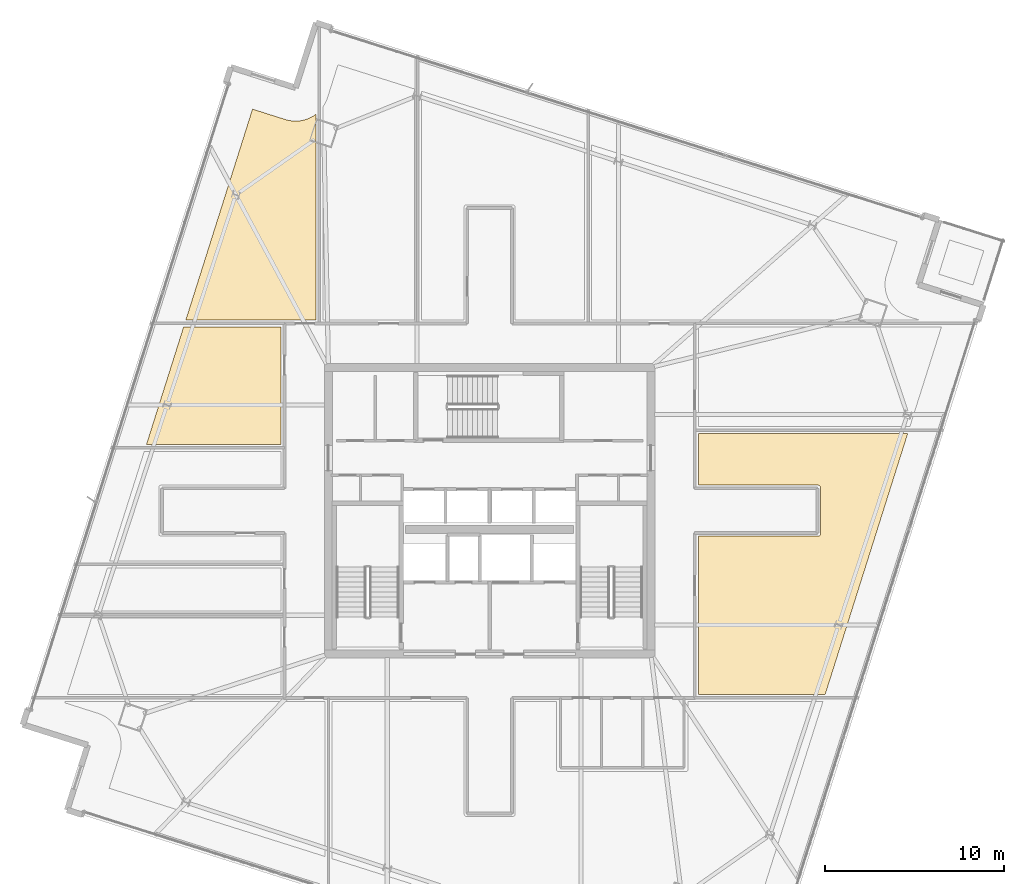
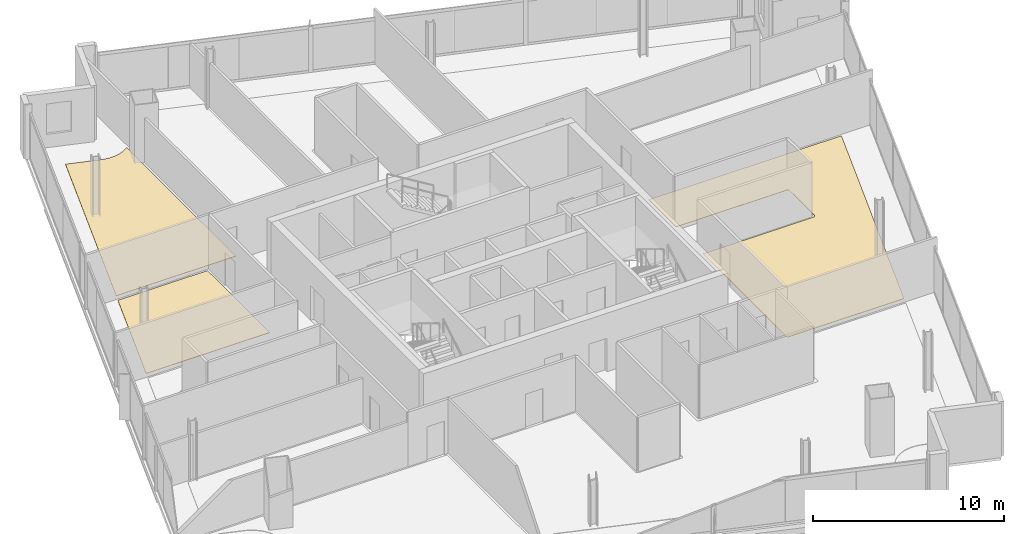
# One storey, part 24 of 26: 3 coverings.
"""IFC4 building model written with IfcOpenShell, lengths in metres."""

from ifc_helpers import new_model, si_unit, direction, frame, origin, place, context, subcontext, project, spatial, polyline, outline, extrude, material, layer, layer_set, type_object, element, save


model = new_model("IFC4")

# Units and contexts
model_context = context("Model", 3, precision=1e-05, world=origin(), true_north=direction((0.0, 1.0)))
body_context = subcontext(model_context, "Body", "Model", "MODEL_VIEW")
ifc_project = project(units=[si_unit("LENGTHUNIT", "METRE"), si_unit("AREAUNIT", "SQUARE_METRE"), si_unit("VOLUMEUNIT", "CUBIC_METRE"), si_unit("PLANEANGLEUNIT", "RADIAN"), si_unit("MASSUNIT", "GRAM", prefix="KILO")], contexts=[model_context])

# Site, building, storey
site_placement = place(None, origin())
site = spatial("IfcSite", under=ifc_project, at=site_placement, CompositionType="ELEMENT")
building_placement = place(site_placement, origin())
building = spatial("IfcBuilding", under=site, at=building_placement, Name="Haldenkirk Collegiate Tower", CompositionType="ELEMENT")
storey_placement = place(building_placement, frame((0.0, 0.0, 271.199951171875)))
storey = spatial("IfcBuildingStorey", under=building, at=storey_placement, Name="L68", CompositionType="ELEMENT", Elevation=271.199951171875)

# Coverings
ifc_material_1 = material(Name="Polished collegiate terrazzo", Category="concrete")
ifc_layer_1 = layer(ifc_material_1, 0.02490234375)
ifc_layer_set_1 = layer_set([ifc_layer_1], Name="Polished collegiate terrazzo")
covering_type_1 = type_object("IfcCoveringType", Name="COV-FLOOR-TERRAZZO", PredefinedType="FLOORING", material=ifc_layer_set_1)
covering_1_placement = place(storey_placement, origin())
element("IfcCovering", 1, at=covering_1_placement, inside=storey, type_object=covering_type_1, Name="L68 academic room finish 10", PredefinedType="FLOORING", context=body_context, shape_type="SweptSolid", body=[
    extrude(outline(polyline([(18.91552734375, 36.25), (24.35009765625, 36.25), (24.35009765625, 29.699951171875), (16.843994140625, 29.699951171875), (18.91552734375, 36.25)])), origin(), (0.0, 0.0, 1.0), 0.025146484375),
])
ifc_material_2 = material(Name="Engineered collegiate oak acoustic flooring", Category="wood")
ifc_layer_2 = layer(ifc_material_2, 0.02197265625)
ifc_layer_set_2 = layer_set([ifc_layer_2], Name="Engineered collegiate oak acoustic flooring")
covering_type_2 = type_object("IfcCoveringType", Name="COV-FLOOR-TIMBER", PredefinedType="FLOORING", material=ifc_layer_set_2)
covering_2_placement = place(storey_placement, origin())
element("IfcCovering", 2, at=covering_2_placement, inside=storey, type_object=covering_type_2, Name="L68 academic room finish 03", PredefinedType="FLOORING", context=body_context, shape_type="SweptSolid", body=[
    extrude(outline(polyline([(24.602783203125, 47.8330078125), (24.608642578125, 47.831298828125), (24.774658203125, 47.78759765625), (24.7861328125, 47.78515625), (24.955810546875, 47.7578125), (24.96728515625, 47.756591796875), (25.138916015625, 47.74609375), (25.150634765625, 47.74609375), (25.322265625, 47.75244140625), (25.333984375, 47.75341796875), (25.504150390625, 47.776611328125), (25.515625, 47.77880859375), (25.682861328125, 47.818603515625), (25.694091796875, 47.82177734375), (25.8564453125, 47.877685546875), (25.867431640625, 47.882080078125), (26.0234375, 47.95361328125), (26.033935546875, 47.959228515625), (26.182373046875, 48.0458984375), (26.192138671875, 48.052001953125), (26.300048828125, 48.130126953125), (26.300048828125, 36.64990234375), (19.0419921875, 36.64990234375), (22.7626953125, 48.414794921875), (24.602783203125, 47.8330078125)])), origin(), (0.0, 0.0, 1.0), 0.02197265625),
])
covering_3_placement = place(storey_placement, origin())
element("IfcCovering", 3, at=covering_3_placement, inside=storey, type_object=covering_type_2, Name="L68 academic room finish 11", PredefinedType="FLOORING", context=body_context, shape_type="SweptSolid", body=[
    extrude(outline(polyline([(54.736328125, 15.75), (47.64990234375, 15.75), (47.64990234375, 24.580078125), (54.35009765625, 24.580078125), (54.36181640625, 24.58056640625), (54.373291015625, 24.582275390625), (54.384765625, 24.585205078125), (54.39599609375, 24.589111328125), (54.406494140625, 24.59423828125), (54.416748046875, 24.60009765625), (54.426025390625, 24.607177734375), (54.434814453125, 24.614990234375), (54.44287109375, 24.623779296875), (54.44970703125, 24.63330078125), (54.455810546875, 24.643310546875), (54.4609375, 24.654052734375), (54.46484375, 24.665283203125), (54.4677734375, 24.676513671875), (54.469482421875, 24.688232421875), (54.469970703125, 24.699951171875), (54.469970703125, 27.300048828125), (54.469482421875, 27.311767578125), (54.4677734375, 27.323486328125), (54.46484375, 27.334716796875), (54.4609375, 27.345947265625), (54.455810546875, 27.356689453125), (54.44970703125, 27.36669921875), (54.44287109375, 27.376220703125), (54.434814453125, 27.385009765625), (54.426025390625, 27.392822265625), (54.416748046875, 27.39990234375), (54.406494140625, 27.40576171875), (54.39599609375, 27.410888671875), (54.384765625, 27.414794921875), (54.373291015625, 27.417724609375), (54.36181640625, 27.41943359375), (54.35009765625, 27.419921875), (47.64990234375, 27.419921875), (47.64990234375, 30.300048828125), (59.337890625, 30.300048828125), (54.736328125, 15.75)])), origin(), (0.0, 0.0, 1.0), 0.02197265625),
])

save(model, "model.ifc")
